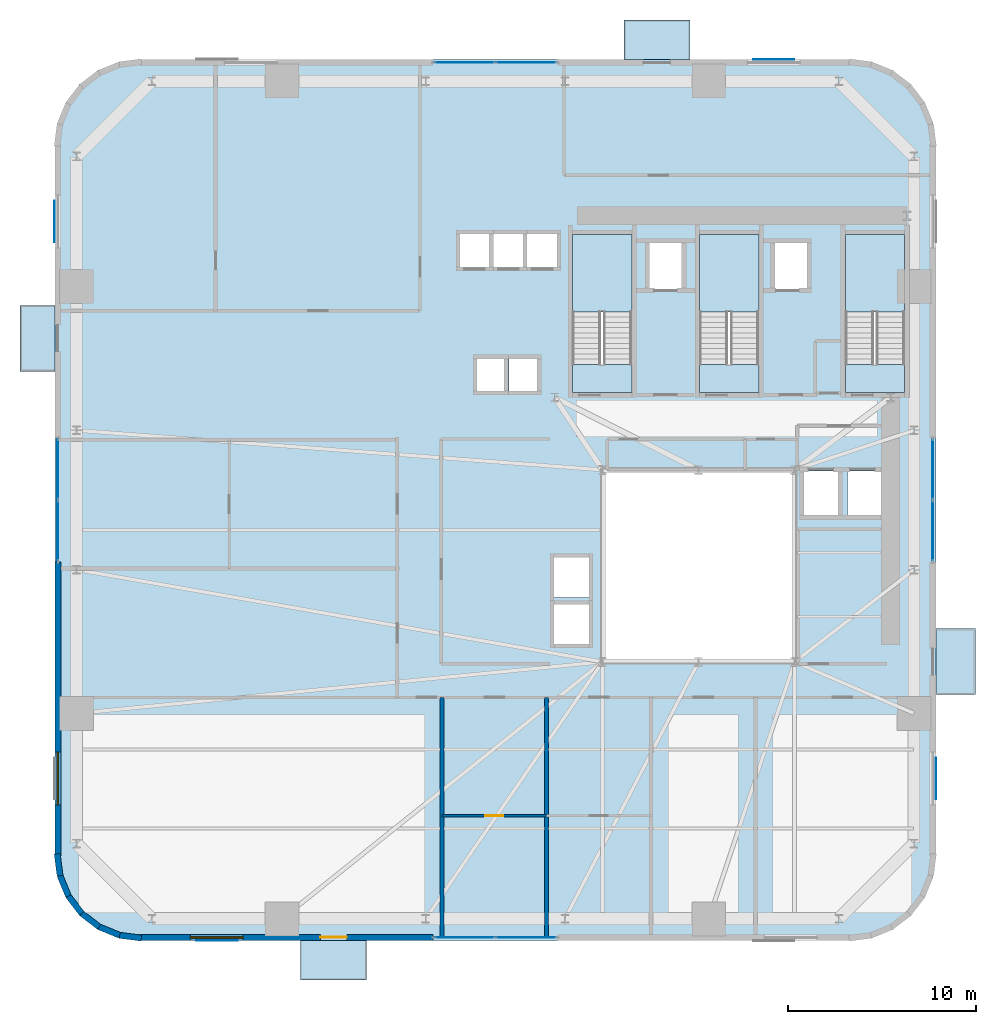
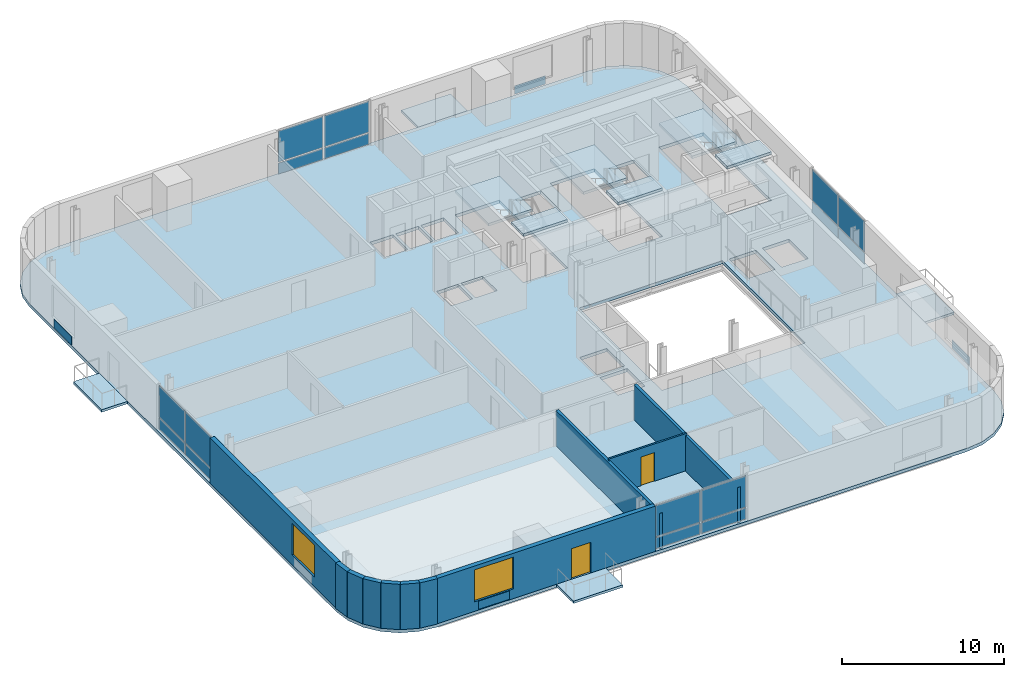
# One storey, part 5 of 13: 20 plates, 11 slabs, 11 walls, 2 doors, 2 windows, 4 openings, 7 elements without a shape of their own.
"""IFC4 building model written with IfcOpenShell, lengths in metres."""

from ifc_helpers import new_model, si_unit, direction, frame, frame_2d, origin, origin_2d, place, context, subcontext, project, spatial, polyline, rectangle, outline, extrude, source, transform, mapped, material, layer, layer_set, type_object, element, fill, aggregate, save


model = new_model("IFC4")

# Units and contexts
model_context = context("Model", 3, precision=1e-05, world=origin(), true_north=direction((0.0, 1.0)))
body_context = subcontext(model_context, "Body", "Model", "MODEL_VIEW")
ifc_project = project(units=[si_unit("LENGTHUNIT", "METRE"), si_unit("AREAUNIT", "SQUARE_METRE"), si_unit("VOLUMEUNIT", "CUBIC_METRE"), si_unit("PLANEANGLEUNIT", "RADIAN"), si_unit("MASSUNIT", "GRAM", prefix="KILO")], contexts=[model_context])

# Site, building, storey
site_placement = place(None, origin())
site = spatial("IfcSite", under=ifc_project, at=site_placement, CompositionType="ELEMENT")
building_placement = place(site_placement, origin())
building = spatial("IfcBuilding", under=site, at=building_placement, Name="Vardaveli Station Tower", CompositionType="ELEMENT")
storey_placement = place(building_placement, frame((0.0, 0.0, 71.39990234375)))
storey = spatial("IfcBuildingStorey", under=building, at=storey_placement, Name="L18", CompositionType="ELEMENT", Elevation=71.39990234375)

# Stair, slabs
ifc_material_1 = material(Name="Concrete C40/50", Category="concrete")
stair_type = type_object("IfcStairType", Name="STR-CORE-1500", PredefinedType="HALF_TURN_STAIR", material=ifc_material_1)
stair_1_placement = place(storey_placement, origin())
stair_1 = element("IfcStair", 1, at=stair_1_placement, inside=storey, type_object=stair_type, Name="L18 ST-1", PredefinedType="HALF_TURN_STAIR")
ifc_layer_1 = layer(ifc_material_1, 0.199951171875, Name="Concrete C40/50")
ifc_layer_set_1 = layer_set([ifc_layer_1], Name="Concrete C40/50")
slab_type_1 = type_object("IfcSlabType", Name="SLB-LAND-200", PredefinedType="LANDING", material=ifc_layer_set_1)
slab_1_placement = place(storey_placement, frame((0.0, 0.0, 1.625)))
slab_1 = element("IfcSlab", 2, at=slab_1_placement, type_object=slab_type_1, Name="ST-1 landing 1", PredefinedType="LANDING", context=body_context, shape_type="SweptSolid", body=[
    extrude(outline(polyline([(32.75, 35.199951171875), (32.75, 39.300048828125), (29.60009765625, 39.300048828125), (29.60009765625, 35.199951171875), (32.75, 35.199951171875)])), origin(), (0.0, 0.0, 1.0), 0.2001953125),
])
slab_2_placement = place(storey_placement, frame((0.0, 0.0, 3.4501953125)))
slab_2 = element("IfcSlab", 3, at=slab_2_placement, type_object=slab_type_1, Name="ST-1 landing 2", PredefinedType="LANDING", context=body_context, shape_type="SweptSolid", body=[
    extrude(outline(polyline([(32.75, 30.89990234375), (32.75, 32.39990234375), (29.60009765625, 32.39990234375), (29.60009765625, 30.89990234375), (32.75, 30.89990234375)])), origin(), (0.0, 0.0, 1.0), 0.199951171875),
])
aggregate(stair_1, [slab_1, slab_2])

stair_2_placement = place(storey_placement, origin())
stair_2 = element("IfcStair", 4, at=stair_2_placement, inside=storey, type_object=stair_type, Name="L18 ST-2", PredefinedType="HALF_TURN_STAIR")
slab_3_placement = place(storey_placement, frame((0.0, 0.0, 1.625)))
slab_3 = element("IfcSlab", 5, at=slab_3_placement, type_object=slab_type_1, Name="ST-2 landing 1", PredefinedType="LANDING", context=body_context, shape_type="SweptSolid", body=[
    extrude(outline(polyline([(39.5, 35.199951171875), (39.5, 39.300048828125), (36.35009765625, 39.300048828125), (36.35009765625, 35.199951171875), (39.5, 35.199951171875)])), origin(), (0.0, 0.0, 1.0), 0.2001953125),
])
slab_4_placement = place(storey_placement, frame((0.0, 0.0, 3.4501953125)))
slab_4 = element("IfcSlab", 6, at=slab_4_placement, type_object=slab_type_1, Name="ST-2 landing 2", PredefinedType="LANDING", context=body_context, shape_type="SweptSolid", body=[
    extrude(outline(polyline([(39.5, 30.89990234375), (39.5, 32.39990234375), (36.35009765625, 32.39990234375), (36.35009765625, 30.89990234375), (39.5, 30.89990234375)])), origin(), (0.0, 0.0, 1.0), 0.199951171875),
])
aggregate(stair_2, [slab_3, slab_4])

stair_3_placement = place(storey_placement, origin())
stair_3 = element("IfcStair", 7, at=stair_3_placement, inside=storey, type_object=stair_type, Name="L18 ST-3", PredefinedType="HALF_TURN_STAIR")
slab_5_placement = place(storey_placement, frame((0.0, 0.0, 1.625)))
slab_5 = element("IfcSlab", 8, at=slab_5_placement, type_object=slab_type_1, Name="ST-3 landing 1", PredefinedType="LANDING", context=body_context, shape_type="SweptSolid", body=[
    extrude(outline(polyline([(47.25, 35.199951171875), (47.25, 39.300048828125), (44.10009765625, 39.300048828125), (44.10009765625, 35.199951171875), (47.25, 35.199951171875)])), origin(), (0.0, 0.0, 1.0), 0.2001953125),
])
slab_6_placement = place(storey_placement, frame((0.0, 0.0, 3.4501953125)))
slab_6 = element("IfcSlab", 9, at=slab_6_placement, type_object=slab_type_1, Name="ST-3 landing 2", PredefinedType="LANDING", context=body_context, shape_type="SweptSolid", body=[
    extrude(outline(polyline([(47.25, 30.89990234375), (47.25, 32.39990234375), (44.10009765625, 32.39990234375), (44.10009765625, 30.89990234375), (47.25, 30.89990234375)])), origin(), (0.0, 0.0, 1.0), 0.199951171875),
])
aggregate(stair_3, [slab_5, slab_6])

# Slabs
ifc_material_2 = material(Name="Precast concrete C45/55", Category="concrete")
ifc_layer_2 = layer(ifc_material_2, 0.179931640625, Name="Precast concrete C45/55")
ifc_layer_set_2 = layer_set([ifc_layer_2], Name="Precast concrete C45/55")
slab_type_2 = type_object("IfcSlabType", Name="SLB-LOGGIA-180", PredefinedType="FLOOR", material=ifc_layer_set_2)
slab_7_placement = place(storey_placement, frame((0.0, 0.0, -0.179931640625)))
element("IfcSlab", 10, at=slab_7_placement, inside=storey, type_object=slab_type_2, Name="LOG-L18-S", PredefinedType="FLOOR", context=body_context, shape_type="SweptSolid", body=[
    extrude(outline(polyline([(15.160400390625, -0.300048828125), (18.660400390625, -0.300048828125), (18.660400390625, 1.800048828125), (15.160400390625, 1.800048828125), (15.160400390625, -0.300048828125)])), origin(), (0.0, 0.0, 1.0), 0.179931640625),
])
slab_8_placement = place(storey_placement, frame((0.0, 0.0, -0.179931640625)))
element("IfcSlab", 11, at=slab_8_placement, inside=storey, type_object=slab_type_2, Name="LOG-L18-N", PredefinedType="FLOOR", context=body_context, shape_type="SweptSolid", body=[
    extrude(outline(polyline([(32.339599609375, 48.60009765625), (35.839599609375, 48.60009765625), (35.839599609375, 50.699951171875), (32.339599609375, 50.699951171875), (32.339599609375, 48.60009765625)])), origin(), (0.0, 0.0, 1.0), 0.179931640625),
])
slab_9_placement = place(storey_placement, frame((0.0, 0.0, -0.179931640625)))
element("IfcSlab", 12, at=slab_9_placement, inside=storey, type_object=slab_type_2, Name="LOG-L18-W", PredefinedType="FLOOR", context=body_context, shape_type="SweptSolid", body=[
    extrude(outline(polyline([(0.25, 32.03955078125), (2.10009765625, 32.03955078125), (2.10009765625, 35.53955078125), (0.25, 35.53955078125), (0.25, 32.03955078125)])), origin(), (0.0, 0.0, 1.0), 0.179931640625),
])
slab_10_placement = place(storey_placement, frame((0.0, 0.0, -0.179931640625)))
element("IfcSlab", 13, at=slab_10_placement, inside=storey, type_object=slab_type_2, Name="LOG-L18-E", PredefinedType="FLOOR", context=body_context, shape_type="SweptSolid", body=[
    extrude(outline(polyline([(48.89990234375, 14.8603515625), (51.0, 14.8603515625), (51.0, 18.3603515625), (48.89990234375, 18.3603515625), (48.89990234375, 14.8603515625)])), origin(), (0.0, 0.0, 1.0), 0.179931640625),
])
ifc_layer_3 = layer(ifc_material_1, 0.239990234375, Name="Concrete C40/50")
ifc_layer_set_3 = layer_set([ifc_layer_3], Name="Concrete C40/50")
slab_type_3 = type_object("IfcSlabType", Name="SLB-TOW-240", PredefinedType="FLOOR", material=ifc_layer_set_3)
slab_11_placement = place(storey_placement, frame((0.0, 0.0, -0.239990234375)))
element("IfcSlab", 14, at=slab_11_placement, inside=storey, type_object=slab_type_3, Name="SLB-L18-MAIN", PredefinedType="FLOOR", context=body_context, shape_type="SweptSolid", body=[
    extrude(outline(polyline([(2.10009765625, 6.300048828125), (2.25341796875, 5.13525390625), (2.702880859375, 4.050048828125), (3.41796875, 3.117919921875), (4.35009765625, 2.40283203125), (5.435302734375, 1.953369140625), (6.60009765625, 1.800048828125), (44.39990234375, 1.800048828125), (45.564697265625, 1.953369140625), (46.64990234375, 2.40283203125), (47.58203125, 3.117919921875), (48.297119140625, 4.050048828125), (48.74658203125, 5.13525390625), (48.89990234375, 6.300048828125), (48.89990234375, 44.10009765625), (48.74658203125, 45.2646484375), (48.297119140625, 46.35009765625), (47.58203125, 47.281982421875), (46.64990234375, 47.9970703125), (45.564697265625, 48.44677734375), (44.39990234375, 48.60009765625), (6.60009765625, 48.60009765625), (5.435302734375, 48.44677734375), (4.35009765625, 47.9970703125), (3.41796875, 47.281982421875), (2.702880859375, 46.35009765625), (2.25341796875, 45.2646484375), (2.10009765625, 44.10009765625), (2.10009765625, 6.300048828125)]), holes=[polyline([(31.199951171875, 16.60009765625), (41.39990234375, 16.60009765625), (41.39990234375, 26.800048828125), (31.199951171875, 26.800048828125), (31.199951171875, 16.60009765625)]), polyline([(32.75, 30.89990234375), (32.75, 39.300048828125), (29.60009765625, 39.300048828125), (29.60009765625, 30.89990234375), (32.75, 30.89990234375)]), polyline([(39.5, 30.89990234375), (39.5, 39.300048828125), (36.35009765625, 39.300048828125), (36.35009765625, 30.89990234375), (39.5, 30.89990234375)]), polyline([(47.25, 30.89990234375), (47.25, 39.300048828125), (44.10009765625, 39.300048828125), (44.10009765625, 30.89990234375), (47.25, 30.89990234375)]), polyline([(23.5849609375, 37.534912109375), (25.215087890625, 37.534912109375), (25.215087890625, 39.364990234375), (23.5849609375, 39.364990234375), (23.5849609375, 37.534912109375)]), polyline([(25.385009765625, 37.534912109375), (27.014892578125, 37.534912109375), (27.014892578125, 39.364990234375), (25.385009765625, 39.364990234375), (25.385009765625, 37.534912109375)]), polyline([(27.18505859375, 37.534912109375), (28.81494140625, 37.534912109375), (28.81494140625, 39.364990234375), (27.18505859375, 39.364990234375), (27.18505859375, 37.534912109375)]), polyline([(33.659912109375, 36.409912109375), (35.43994140625, 36.409912109375), (35.43994140625, 38.889892578125), (33.659912109375, 38.889892578125), (33.659912109375, 36.409912109375)]), polyline([(40.31005859375, 36.409912109375), (42.090087890625, 36.409912109375), (42.090087890625, 38.889892578125), (40.31005859375, 38.889892578125), (40.31005859375, 36.409912109375)]), polyline([(24.485107421875, 30.9599609375), (26.014892578125, 30.9599609375), (26.014892578125, 32.739990234375), (24.485107421875, 32.739990234375), (24.485107421875, 30.9599609375)]), polyline([(26.235107421875, 30.9599609375), (27.764892578125, 30.9599609375), (27.764892578125, 32.739990234375), (26.235107421875, 32.739990234375), (26.235107421875, 30.9599609375)]), polyline([(28.5849609375, 17.510009765625), (30.514892578125, 17.510009765625), (30.514892578125, 19.68994140625), (28.5849609375, 19.68994140625), (28.5849609375, 17.510009765625)]), polyline([(28.5849609375, 20.010009765625), (30.514892578125, 20.010009765625), (30.514892578125, 22.18994140625), (28.5849609375, 22.18994140625), (28.5849609375, 20.010009765625)]), polyline([(41.860107421875, 24.360107421875), (43.739990234375, 24.360107421875), (43.739990234375, 26.739990234375), (41.860107421875, 26.739990234375), (41.860107421875, 24.360107421875)]), polyline([(44.2099609375, 24.360107421875), (46.090087890625, 24.360107421875), (46.090087890625, 26.739990234375), (44.2099609375, 26.739990234375), (44.2099609375, 24.360107421875)])]), origin(), (0.0, 0.0, 1.0), 0.239990234375),
])

# Curtain wall, plates
ifc_material_3 = material(Name="Travertine stone and solar-control glass", Category="masonry")
curtain_wall_type = type_object("IfcCurtainWallType", Name="CW-SYS-2", PredefinedType="NOTDEFINED", material=ifc_material_3)
curtain_wall_1_placement = place(storey_placement, origin())
curtain_wall_1 = element("IfcCurtainWall", 15, at=curtain_wall_1_placement, inside=storey, type_object=curtain_wall_type, Name="CW-L18-S", PredefinedType="NOTDEFINED")
ifc_material_4 = material(Name="Double-glazed low-E solar-control glass", Category="glass")
ifc_layer_4 = layer(ifc_material_4, 0.035888671875, Name="Double-glazed low-E solar-control glass")
ifc_layer_set_4 = layer_set([ifc_layer_4], Name="Double-glazed low-E solar-control glass")
plate_type_1 = type_object("IfcPlateType", Name="CW-SYS-2-PAN", PredefinedType="CURTAIN_PANEL", material=ifc_layer_set_4)
shared_shape_1 = source(origin(), body_context, "Body", "SweptSolid", [
    extrude(rectangle(XDim=3.172607421875, YDim=0.035888671875, at=origin_2d()), origin(), (0.0, 0.0, 1.0), 0.822509765625),
])
plate_1_placement = place(storey_placement, frame((23.871337890625, 1.9599609375, 0.0849609375), z_axis=(0.0, 0.0, 1.0), x_axis=(1.0, 0.0, 0.0)))
plate_1 = element("IfcPlate", 16, at=plate_1_placement, type_object=plate_type_1, Name="CW-2 panel 1.1", PredefinedType="CURTAIN_PANEL", context=body_context, shape_type="MappedRepresentation", body=[
    mapped(shared_shape_1, transform((0.0, 0.0, 0.0), scale=1.0)),
])
plate_2_placement = place(storey_placement, frame((27.128662109375, 1.9599609375, 0.0849609375), z_axis=(0.0, 0.0, 1.0), x_axis=(1.0, 0.0, 0.0)))
plate_2 = element("IfcPlate", 17, at=plate_2_placement, type_object=plate_type_1, Name="CW-2 panel 2.1", PredefinedType="CURTAIN_PANEL", context=body_context, shape_type="MappedRepresentation", body=[
    mapped(shared_shape_1, transform((0.0, 0.0, 0.0), scale=1.0)),
])

curtain_wall_2_placement = place(storey_placement, origin())
curtain_wall_2 = element("IfcCurtainWall", 18, at=curtain_wall_2_placement, inside=storey, type_object=curtain_wall_type, Name="CW-L18-N", PredefinedType="NOTDEFINED")
plate_3_placement = place(storey_placement, frame((27.128662109375, 48.43994140625, 0.0849609375), z_axis=(0.0, 0.0, 1.0), x_axis=(-1.0, 0.0, 0.0)))
plate_3 = element("IfcPlate", 19, at=plate_3_placement, type_object=plate_type_1, Name="CW-2 panel 1.1", PredefinedType="CURTAIN_PANEL", context=body_context, shape_type="MappedRepresentation", body=[
    mapped(shared_shape_1, transform((0.0, 0.0, 0.0), scale=1.0)),
])
plate_4_placement = place(storey_placement, frame((23.871337890625, 48.43994140625, 0.0849609375), z_axis=(0.0, 0.0, 1.0), x_axis=(-1.0, 0.0, 0.0)))
plate_4 = element("IfcPlate", 20, at=plate_4_placement, type_object=plate_type_1, Name="CW-2 panel 2.1", PredefinedType="CURTAIN_PANEL", context=body_context, shape_type="MappedRepresentation", body=[
    mapped(shared_shape_1, transform((0.0, 0.0, 0.0), scale=1.0)),
])

curtain_wall_3_placement = place(storey_placement, origin())
curtain_wall_3 = element("IfcCurtainWall", 21, at=curtain_wall_3_placement, inside=storey, type_object=curtain_wall_type, Name="CW-L18-W", PredefinedType="NOTDEFINED")
plate_5_placement = place(storey_placement, frame((2.260009765625, 26.828857421875, 0.0849609375), z_axis=(0.0, 0.0, 1.0), x_axis=(0.0, -1.0, 0.0)))
plate_5 = element("IfcPlate", 22, at=plate_5_placement, type_object=plate_type_1, Name="CW-2 panel 1.1", PredefinedType="CURTAIN_PANEL", context=body_context, shape_type="MappedRepresentation", body=[
    mapped(shared_shape_1, transform((0.0, 0.0, 0.0), scale=1.0)),
])
plate_6_placement = place(storey_placement, frame((2.260009765625, 23.5712890625, 0.0849609375), z_axis=(0.0, 0.0, 1.0), x_axis=(0.0, -1.0, 0.0)))
plate_6 = element("IfcPlate", 23, at=plate_6_placement, type_object=plate_type_1, Name="CW-2 panel 2.1", PredefinedType="CURTAIN_PANEL", context=body_context, shape_type="MappedRepresentation", body=[
    mapped(shared_shape_1, transform((0.0, 0.0, 0.0), scale=1.0)),
])

curtain_wall_4_placement = place(storey_placement, origin())
curtain_wall_4 = element("IfcCurtainWall", 24, at=curtain_wall_4_placement, inside=storey, type_object=curtain_wall_type, Name="CW-L18-E", PredefinedType="NOTDEFINED")
plate_7_placement = place(storey_placement, frame((48.739990234375, 23.5712890625, 0.0849609375), z_axis=(0.0, 0.0, 1.0), x_axis=(0.0, 1.0, 0.0)))
plate_7 = element("IfcPlate", 25, at=plate_7_placement, type_object=plate_type_1, Name="CW-2 panel 1.1", PredefinedType="CURTAIN_PANEL", context=body_context, shape_type="MappedRepresentation", body=[
    mapped(shared_shape_1, transform((0.0, 0.0, 0.0), scale=1.0)),
])
plate_8_placement = place(storey_placement, frame((48.739990234375, 26.828857421875, 0.0849609375), z_axis=(0.0, 0.0, 1.0), x_axis=(0.0, 1.0, 0.0)))
plate_8 = element("IfcPlate", 26, at=plate_8_placement, type_object=plate_type_1, Name="CW-2 panel 2.1", PredefinedType="CURTAIN_PANEL", context=body_context, shape_type="MappedRepresentation", body=[
    mapped(shared_shape_1, transform((0.0, 0.0, 0.0), scale=1.0)),
])

# Plate
shared_shape_2 = source(origin(), body_context, "Body", "SweptSolid", [
    extrude(rectangle(XDim=3.172607421875, YDim=0.035888671875, at=origin_2d()), origin(), (0.0, 0.0, 1.0), 2.33251953125),
])
plate_9_placement = place(storey_placement, frame((23.871337890625, 1.9599609375, 0.99267578125), z_axis=(0.0, 0.0, 1.0), x_axis=(1.0, 0.0, 0.0)))
plate_9 = element("IfcPlate", 27, at=plate_9_placement, type_object=plate_type_1, Name="CW-2 panel 1.2", PredefinedType="CURTAIN_PANEL", context=body_context, shape_type="MappedRepresentation", body=[
    mapped(shared_shape_2, transform((0.0, 0.0, 0.0), scale=1.0)),
])

plate_10_placement = place(storey_placement, frame((27.128662109375, 1.9599609375, 0.99267578125), z_axis=(0.0, 0.0, 1.0), x_axis=(1.0, 0.0, 0.0)))
plate_10 = element("IfcPlate", 28, at=plate_10_placement, type_object=plate_type_1, Name="CW-2 panel 2.2", PredefinedType="CURTAIN_PANEL", context=body_context, shape_type="MappedRepresentation", body=[
    mapped(shared_shape_2, transform((0.0, 0.0, 0.0), scale=1.0)),
])

aggregate(curtain_wall_1, [plate_1, plate_9, plate_2, plate_10])

plate_11_placement = place(storey_placement, frame((27.128662109375, 48.43994140625, 0.99267578125), z_axis=(0.0, 0.0, 1.0), x_axis=(-1.0, 0.0, 0.0)))
plate_11 = element("IfcPlate", 29, at=plate_11_placement, type_object=plate_type_1, Name="CW-2 panel 1.2", PredefinedType="CURTAIN_PANEL", context=body_context, shape_type="MappedRepresentation", body=[
    mapped(shared_shape_2, transform((0.0, 0.0, 0.0), scale=1.0)),
])

plate_12_placement = place(storey_placement, frame((23.871337890625, 48.43994140625, 0.99267578125), z_axis=(0.0, 0.0, 1.0), x_axis=(-1.0, 0.0, 0.0)))
plate_12 = element("IfcPlate", 30, at=plate_12_placement, type_object=plate_type_1, Name="CW-2 panel 2.2", PredefinedType="CURTAIN_PANEL", context=body_context, shape_type="MappedRepresentation", body=[
    mapped(shared_shape_2, transform((0.0, 0.0, 0.0), scale=1.0)),
])

aggregate(curtain_wall_2, [plate_3, plate_11, plate_4, plate_12])

plate_13_placement = place(storey_placement, frame((2.260009765625, 26.828857421875, 0.99267578125), z_axis=(0.0, 0.0, 1.0), x_axis=(0.0, -1.0, 0.0)))
plate_13 = element("IfcPlate", 31, at=plate_13_placement, type_object=plate_type_1, Name="CW-2 panel 1.2", PredefinedType="CURTAIN_PANEL", context=body_context, shape_type="MappedRepresentation", body=[
    mapped(shared_shape_2, transform((0.0, 0.0, 0.0), scale=1.0)),
])

plate_14_placement = place(storey_placement, frame((2.260009765625, 23.5712890625, 0.99267578125), z_axis=(0.0, 0.0, 1.0), x_axis=(0.0, -1.0, 0.0)))
plate_14 = element("IfcPlate", 32, at=plate_14_placement, type_object=plate_type_1, Name="CW-2 panel 2.2", PredefinedType="CURTAIN_PANEL", context=body_context, shape_type="MappedRepresentation", body=[
    mapped(shared_shape_2, transform((0.0, 0.0, 0.0), scale=1.0)),
])

aggregate(curtain_wall_3, [plate_5, plate_13, plate_6, plate_14])

plate_15_placement = place(storey_placement, frame((48.739990234375, 23.5712890625, 0.99267578125), z_axis=(0.0, 0.0, 1.0), x_axis=(0.0, 1.0, 0.0)))
plate_15 = element("IfcPlate", 33, at=plate_15_placement, type_object=plate_type_1, Name="CW-2 panel 1.2", PredefinedType="CURTAIN_PANEL", context=body_context, shape_type="MappedRepresentation", body=[
    mapped(shared_shape_2, transform((0.0, 0.0, 0.0), scale=1.0)),
])

plate_16_placement = place(storey_placement, frame((48.739990234375, 26.828857421875, 0.99267578125), z_axis=(0.0, 0.0, 1.0), x_axis=(0.0, 1.0, 0.0)))
plate_16 = element("IfcPlate", 34, at=plate_16_placement, type_object=plate_type_1, Name="CW-2 panel 2.2", PredefinedType="CURTAIN_PANEL", context=body_context, shape_type="MappedRepresentation", body=[
    mapped(shared_shape_2, transform((0.0, 0.0, 0.0), scale=1.0)),
])

aggregate(curtain_wall_4, [plate_7, plate_15, plate_8, plate_16])

# Plates
ifc_material_5 = material(Name="Honed Caucasian travertine stone", Category="masonry")
ifc_layer_5 = layer(ifc_material_5, 0.034912109375, Name="Honed Caucasian travertine stone")
ifc_layer_set_5 = layer_set([ifc_layer_5], Name="Honed Caucasian travertine stone")
plate_type_2 = type_object("IfcPlateType", Name="PLT-TRAV-35", PredefinedType="SHEET", material=ifc_layer_set_5)
shared_shape_3 = source(origin(), body_context, "Body", "SweptSolid", [
    extrude(rectangle(XDim=2.199951171875, YDim=0.034912109375, at=origin_2d()), origin(), (0.0, 0.0, 1.0), 0.6201171875),
])
for number, where, z_axis, x_axis, name in (
    (35, (10.705078125, 1.79052734375, 0.070068359375), (0.0, 0.0, 1.0), (1.0, 0.0, 0.0), "PLT-TR-L18-S"),
    (36, (40.294921875, 48.609619140625, 0.070068359375), (0.0, 0.0, 1.0), (1.0, 0.0, 0.0), "PLT-TR-L18-N"),
    (37, (2.090576171875, 39.9951171875, 0.070068359375), (0.0, 0.0, 1.0), (0.0, 1.0, 0.0), "PLT-TR-L18-W"),
    (38, (48.909423828125, 10.405029296875, 0.070068359375), (0.0, 0.0, 1.0), (0.0, 1.0, 0.0), "PLT-TR-L18-E"),
):
    element("IfcPlate", number, at=place(storey_placement, frame(where, z_axis=z_axis, x_axis=x_axis)), inside=storey, type_object=plate_type_2, Name=name, PredefinedType="SHEET", context=body_context, shape_type="MappedRepresentation", body=[
        mapped(shared_shape_3, transform((0.0, 0.0, 0.0), scale=1.0)),
    ])

# Wall, openings, door, window
ifc_layer_6 = layer(ifc_material_2, 0.320068359375, Name="Precast concrete C45/55")
ifc_layer_set_6 = layer_set([ifc_layer_6], Name="Precast concrete C45/55")
wall_type_1 = type_object("IfcWallType", Name="WAL-EXT-STONE-320", PredefinedType="SOLIDWALL", material=ifc_layer_set_6)
shared_shape_4 = source(origin(), body_context, "Body", "SweptSolid", [
    extrude(rectangle(XDim=15.599853515625, YDim=0.320068359375, at=frame_2d((7.7998046875, 0.0))), origin(), (0.0, 0.0, 1.0), 3.41015625),
])
wall_1_placement = place(storey_placement, frame((6.60009765625, 1.9599609375, 0.0), z_axis=(0.0, 0.0, 1.0), x_axis=(1.0, 0.0, 0.0)))
wall_1 = element("IfcWall", 39, at=wall_1_placement, inside=storey, type_object=wall_type_1, Name="EW-L18-S1", PredefinedType="SOLIDWALL", context=body_context, shape_type="MappedRepresentation", body=[
    mapped(shared_shape_4, transform((0.0, 0.0, 0.0), scale=1.0)),
])
shared_shape_5 = source(origin(), body_context, "Body", "SweptSolid", [
    extrude(rectangle(XDim=1.39990234375, YDim=2.300048828125, at=frame_2d((0.699951171875, 1.14990234375))), frame((0.0, 0.169921875, 0.0), z_axis=(0.0, -1.0, 0.0), x_axis=(1.0, 0.0, 0.0)), (0.0, 0.0, 1.0), 0.340087890625),
])
opening_1_placement = place(wall_1_placement, frame((9.6103515625, 0.0, 0.0)))
opening_1 = element("IfcOpeningElement", 40, at=opening_1_placement, cuts=wall_1, Name="Opening D-09", PredefinedType="OPENING", context=body_context, shape_type="MappedRepresentation", body=[
    mapped(shared_shape_5, transform((0.0, 0.0, 0.0), scale=1.0)),
])
shared_shape_6 = source(origin(), body_context, "Body", "SweptSolid", [
    extrude(rectangle(XDim=2.800048828125, YDim=2.39990234375, at=frame_2d((1.39990234375, 1.199951171875))), frame((0.0, 0.169921875, 0.0), z_axis=(0.0, -1.0, 0.0), x_axis=(1.0, 0.0, 0.0)), (0.0, 0.0, 1.0), 0.340087890625),
])
opening_2_placement = place(wall_1_placement, frame((2.705078125, 0.0, 0.719970703125)))
opening_2 = element("IfcOpeningElement", 41, at=opening_2_placement, cuts=wall_1, Name="Opening W-04", PredefinedType="OPENING", context=body_context, shape_type="MappedRepresentation", body=[
    mapped(shared_shape_6, transform((0.0, 0.0, 0.0), scale=1.0)),
])
ifc_material_6 = material(Name="Thermally broken aluminium glass", Category="aluminium")
door_type_1 = type_object("IfcDoorType", Name="DR-LOG-1400x2300", OperationType="DOUBLE_DOOR_SLIDING", PredefinedType="DOOR", material=ifc_material_6)
shared_shape_7 = source(origin(), body_context, "Body", "SweptSolid", [
    extrude(rectangle(XDim=1.39990234375, YDim=2.300048828125, at=frame_2d((0.699951171875, 1.14990234375))), frame((0.0, 0.02490234375, 0.0), z_axis=(0.0, -1.0, 0.0), x_axis=(1.0, 0.0, 0.0)), (0.0, 0.0, 1.0), 0.050048828125),
])
door_1_placement = place(opening_1_placement, frame((1.39990234375, 0.0, 0.0), z_axis=(0.0, 0.0, 1.0), x_axis=(-1.0, 0.0, 0.0)))
door_1 = element("IfcDoor", 42, at=door_1_placement, inside=storey, type_object=door_type_1, Name="DLG-L18-S", OperationType="DOUBLE_DOOR_SLIDING", OverallHeight=2.300048828125, OverallWidth=1.39990234375, PredefinedType="DOOR", context=body_context, shape_type="MappedRepresentation", body=[
    mapped(shared_shape_7, transform((0.0, 0.0, 0.0), scale=1.0)),
])
fill(opening_1, door_1)
ifc_material_7 = material(Name="Low-E solar-control glass", Category="glass")
window_type = type_object("IfcWindowType", Name="WIN-SUITE-2800x2400", PartitioningType="SINGLE_PANEL", PredefinedType="WINDOW", material=ifc_material_7)
shared_shape_8 = source(origin(), body_context, "Body", "SweptSolid", [
    extrude(rectangle(XDim=2.800048828125, YDim=2.39990234375, at=frame_2d((1.39990234375, 1.199951171875))), frame((0.0, 0.030029296875, 0.0), z_axis=(0.0, -1.0, 0.0), x_axis=(1.0, 0.0, 0.0)), (0.0, 0.0, 1.0), 0.06005859375),
])
window_1_placement = place(opening_2_placement, origin())
window_1 = element("IfcWindow", 43, at=window_1_placement, inside=storey, type_object=window_type, Name="WN-L18-S1", OverallHeight=2.39990234375, OverallWidth=2.800048828125, PartitioningType="SINGLE_PANEL", PredefinedType="WINDOW", context=body_context, shape_type="MappedRepresentation", body=[
    mapped(shared_shape_8, transform((0.0, 0.0, 0.0), scale=1.0)),
])
fill(opening_2, window_1)

# Wall, opening, window
wall_2_placement = place(storey_placement, frame((2.260009765625, 21.89990234375, 0.0), z_axis=(0.0, 0.0, 1.0), x_axis=(0.0, -1.0, 0.0)))
wall_2 = element("IfcWall", 44, at=wall_2_placement, inside=storey, type_object=wall_type_1, Name="EW-L18-W2", PredefinedType="SOLIDWALL", context=body_context, shape_type="MappedRepresentation", body=[
    mapped(shared_shape_4, transform((0.0, 0.0, 0.0), scale=1.0)),
])
opening_3_placement = place(wall_2_placement, frame((10.094970703125, 0.0, 0.719970703125)))
opening_3 = element("IfcOpeningElement", 45, at=opening_3_placement, cuts=wall_2, Name="Opening W-04", PredefinedType="OPENING", context=body_context, shape_type="MappedRepresentation", body=[
    mapped(shared_shape_6, transform((0.0, 0.0, 0.0), scale=1.0)),
])
window_2_placement = place(opening_3_placement, origin())
window_2 = element("IfcWindow", 46, at=window_2_placement, inside=storey, type_object=window_type, Name="WN-L18-W2", OverallHeight=2.39990234375, OverallWidth=2.800048828125, PartitioningType="SINGLE_PANEL", PredefinedType="WINDOW", context=body_context, shape_type="MappedRepresentation", body=[
    mapped(shared_shape_8, transform((0.0, 0.0, 0.0), scale=1.0)),
])
fill(opening_3, window_2)

# Walls
shared_shape_9 = source(origin(), body_context, "Body", "SweptSolid", [
    extrude(rectangle(XDim=1.170654296875, YDim=0.320068359375, at=frame_2d((0.58544921875, 0.0))), origin(), (0.0, 0.0, 1.0), 3.41015625),
])
wall_3_placement = place(storey_placement, frame((2.224365234375, 6.400634765625, 0.0), z_axis=(0.0, 0.0, 1.0), x_axis=(0.128269133229, -0.991739395941, 0.0)))
element("IfcWall", 47, at=wall_3_placement, inside=storey, type_object=wall_type_1, Name="EW-L18-CR1-1", PredefinedType="SOLIDWALL", context=body_context, shape_type="MappedRepresentation", body=[
    mapped(shared_shape_9, transform((0.0, 0.0, 0.0), scale=1.0)),
])
shared_shape_10 = source(origin(), body_context, "Body", "SweptSolid", [
    extrude(rectangle(XDim=1.1689453125, YDim=0.320068359375, at=frame_2d((0.58447265625, 0.0))), origin(), (0.0, 0.0, 1.0), 3.41015625),
])
for number, where, z_axis, x_axis, name in (
    (48, (2.37451171875, 5.23974609375, 0.0), (0.0, 0.0, 1.0), (0.381127904695, -0.924522320046, 0.0), "EW-L18-CR1-2"),
    (49, (2.820068359375, 4.158935546875, 0.0), (0.0, 0.0, 1.0), (0.608387696831, -0.793639975269, 0.0), "EW-L18-CR1-3"),
):
    element("IfcWall", number, at=place(storey_placement, frame(where, z_axis=z_axis, x_axis=x_axis)), inside=storey, type_object=wall_type_1, Name=name, PredefinedType="SOLIDWALL", context=body_context, shape_type="MappedRepresentation", body=[
        mapped(shared_shape_10, transform((0.0, 0.0, 0.0), scale=1.0)),
    ])
shared_shape_11 = source(origin(), body_context, "Body", "SweptSolid", [
    extrude(rectangle(XDim=1.168701171875, YDim=0.320068359375, at=frame_2d((0.58447265625, 0.0))), origin(), (0.0, 0.0, 1.0), 3.41015625),
])
wall_4_placement = place(storey_placement, frame((3.53125, 3.231201171875, 0.0), z_axis=(0.0, 0.0, 1.0), x_axis=(0.793663520347, -0.608356981114, 0.0)))
element("IfcWall", 50, at=wall_4_placement, inside=storey, type_object=wall_type_1, Name="EW-L18-CR1-4", PredefinedType="SOLIDWALL", context=body_context, shape_type="MappedRepresentation", body=[
    mapped(shared_shape_11, transform((0.0, 0.0, 0.0), scale=1.0)),
])
shared_shape_12 = source(origin(), body_context, "Body", "SweptSolid", [
    extrude(rectangle(XDim=1.16943359375, YDim=0.320068359375, at=frame_2d((0.584716796875, 0.0))), origin(), (0.0, 0.0, 1.0), 3.41015625),
])
wall_5_placement = place(storey_placement, frame((4.458740234375, 2.520263671875, 0.0), z_axis=(0.0, 0.0, 1.0), x_axis=(0.924479075121, -0.381232789334, 0.0)))
element("IfcWall", 51, at=wall_5_placement, inside=storey, type_object=wall_type_1, Name="EW-L18-CR1-5", PredefinedType="SOLIDWALL", context=body_context, shape_type="MappedRepresentation", body=[
    mapped(shared_shape_12, transform((0.0, 0.0, 0.0), scale=1.0)),
])
shared_shape_13 = source(origin(), body_context, "Body", "SweptSolid", [
    extrude(rectangle(XDim=1.170166015625, YDim=0.320068359375, at=frame_2d((0.5849609375, 0.0))), origin(), (0.0, 0.0, 1.0), 3.41015625),
])
wall_6_placement = place(storey_placement, frame((5.539794921875, 2.074462890625, 0.0), z_axis=(0.0, 0.0, 1.0), x_axis=(0.991762485493, -0.128090485085, 0.0)))
element("IfcWall", 52, at=wall_6_placement, inside=storey, type_object=wall_type_1, Name="EW-L18-CR1-6", PredefinedType="SOLIDWALL", context=body_context, shape_type="MappedRepresentation", body=[
    mapped(shared_shape_13, transform((0.0, 0.0, 0.0), scale=1.0)),
])
ifc_material_8 = material(Name="Acoustic twin-stud gypsum partition")
ifc_layer_7 = layer(ifc_material_8, 0.199951171875, Name="Acoustic twin-stud gypsum partition")
ifc_layer_set_7 = layer_set([ifc_layer_7], Name="Acoustic twin-stud gypsum partition")
wall_type_2 = type_object("IfcWallType", Name="WAL-PARTY-200", PredefinedType="PARTITIONING", material=ifc_layer_set_7)
shared_shape_14 = source(origin(), body_context, "Body", "SweptSolid", [
    extrude(rectangle(XDim=12.780029296875, YDim=0.199951171875, at=frame_2d((6.39013671875, 0.0))), origin(), (0.0, 0.0, 1.0), 2.652099609375),
])
for number, where, z_axis, x_axis, name in (
    (53, (22.669921875, 1.929931640625, 0.0), (0.0, 0.0, 1.0), (0.0, 1.0, 0.0), "W-L18-PS1"),
    (54, (28.222900390625, 1.929931640625, 0.0), (0.0, 0.0, 1.0), (0.0, 1.0, 0.0), "W-L18-PS2"),
):
    element("IfcWall", number, at=place(storey_placement, frame(where, z_axis=z_axis, x_axis=x_axis)), inside=storey, type_object=wall_type_2, Name=name, PredefinedType="PARTITIONING", context=body_context, shape_type="MappedRepresentation", body=[
        mapped(shared_shape_14, transform((0.0, 0.0, 0.0), scale=1.0)),
    ])

# Wall, opening, door
ifc_material_9 = material(Name="Gypsum board stud partition")
ifc_layer_8 = layer(ifc_material_9, 0.125, Name="Gypsum board stud partition")
ifc_layer_set_8 = layer_set([ifc_layer_8], Name="Gypsum board stud partition")
wall_type_3 = type_object("IfcWallType", Name="WAL-INT-125", PredefinedType="PARTITIONING", material=ifc_layer_set_8)
shared_shape_15 = source(origin(), body_context, "Body", "SweptSolid", [
    extrude(rectangle(XDim=5.552978515625, YDim=0.125, at=frame_2d((2.7763671875, 0.0))), origin(), (0.0, 0.0, 1.0), 2.802001953125),
])
wall_7_placement = place(storey_placement, frame((22.669921875, 8.429931640625, 0.0), z_axis=(0.0, 0.0, 1.0), x_axis=(1.0, 0.0, 0.0)))
wall_7 = element("IfcWall", 55, at=wall_7_placement, inside=storey, type_object=wall_type_3, Name="W-L18-SCM2", PredefinedType="PARTITIONING", context=body_context, shape_type="MappedRepresentation", body=[
    mapped(shared_shape_15, transform((0.0, 0.0, 0.0), scale=1.0)),
])
shared_shape_16 = source(origin(), body_context, "Body", "SweptSolid", [
    extrude(rectangle(XDim=0.949951171875, YDim=2.14990234375, at=frame_2d((0.47509765625, 1.074951171875))), frame((0.0, 0.072509765625, 0.0), z_axis=(0.0, -1.0, 0.0), x_axis=(1.0, 0.0, 0.0)), (0.0, 0.0, 1.0), 0.14501953125),
])
opening_4_placement = place(wall_7_placement, frame((2.296630859375, 0.0, 0.0)))
opening_4 = element("IfcOpeningElement", 56, at=opening_4_placement, cuts=wall_7, Name="Opening D-11", PredefinedType="OPENING", context=body_context, shape_type="MappedRepresentation", body=[
    mapped(shared_shape_16, transform((0.0, 0.0, 0.0), scale=1.0)),
])
ifc_material_10 = material(Name="Oak veneer internal suite door")
door_type_2 = type_object("IfcDoorType", Name="DR-INT-950x2150", OperationType="NOTDEFINED", PredefinedType="DOOR", material=ifc_material_10)
shared_shape_17 = source(origin(), body_context, "Body", "SweptSolid", [
    extrude(rectangle(XDim=0.949951171875, YDim=2.14990234375, at=frame_2d((0.47509765625, 1.074951171875))), frame((0.0, 0.02490234375, 0.0), z_axis=(0.0, -1.0, 0.0), x_axis=(1.0, 0.0, 0.0)), (0.0, 0.0, 1.0), 0.050048828125),
])
door_2_placement = place(opening_4_placement, origin())
door_2 = element("IfcDoor", 57, at=door_2_placement, inside=storey, type_object=door_type_2, Name="D-L18-SCF2", OperationType="SINGLE_SWING_LEFT", OverallHeight=2.14990234375, OverallWidth=0.949951171875, PredefinedType="DOOR", context=body_context, shape_type="MappedRepresentation", body=[
    mapped(shared_shape_17, transform((0.0, 0.0, 0.0), scale=1.0)),
])
fill(opening_4, door_2)

save(model, "model.ifc")
